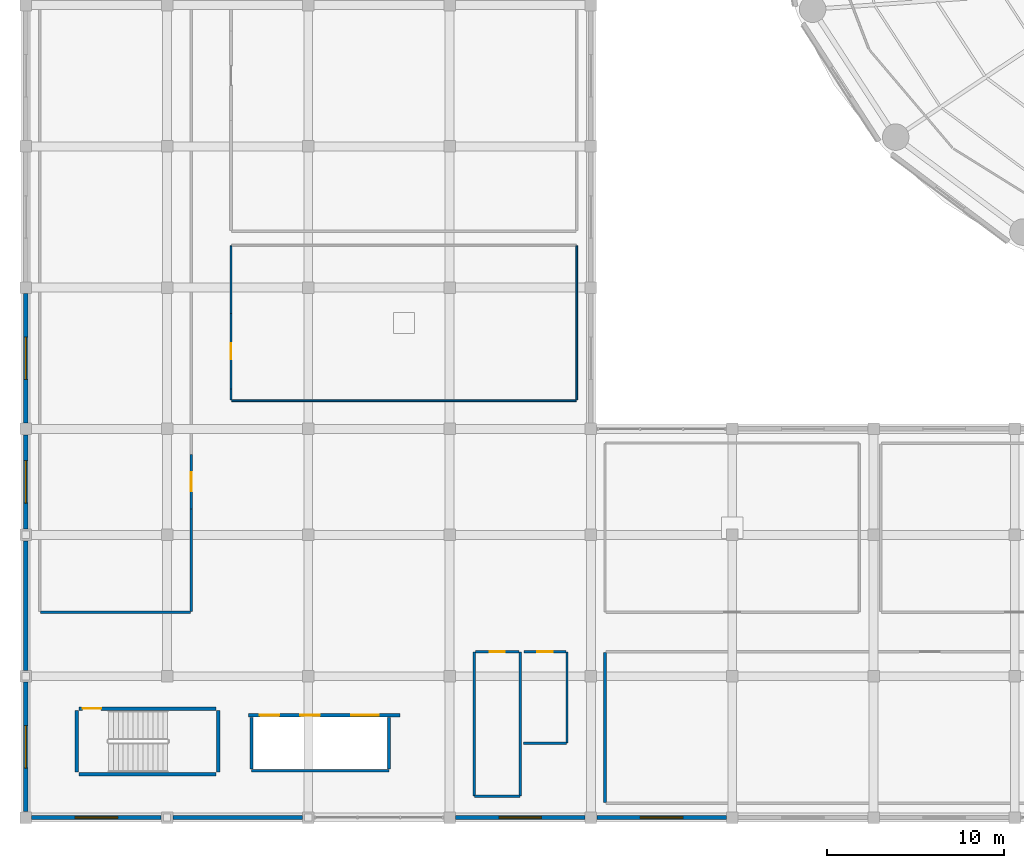
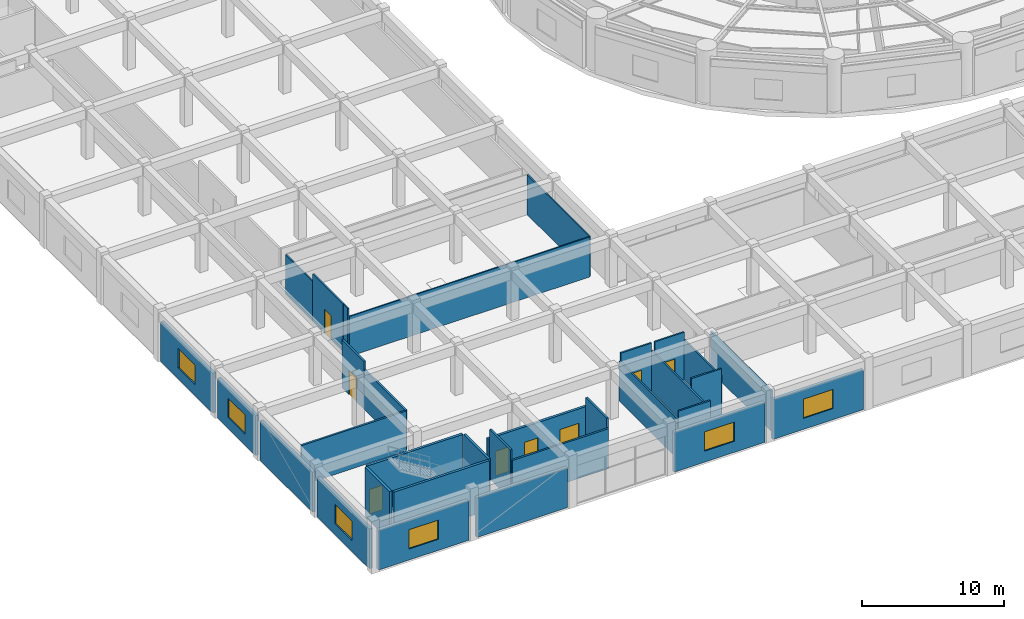
# One storey, part 38 of 52: 32 walls, 8 doors, 6 windows, 14 openings.
"""IFC4 building model written with IfcOpenShell, lengths in metres."""

from ifc_helpers import new_model, si_unit, direction, frame, frame_2d, origin, place, context, subcontext, project, spatial, rectangle, extrude, material, layer, layer_set, type_object, element, fill, save


model = new_model("IFC4")

# Units and contexts
model_context = context("Model", 3, precision=1e-05, world=origin(), true_north=direction((0.0, 1.0)))
body_context = subcontext(model_context, "Body", "Model", "MODEL_VIEW")
ifc_project = project(units=[si_unit("LENGTHUNIT", "METRE"), si_unit("AREAUNIT", "SQUARE_METRE"), si_unit("VOLUMEUNIT", "CUBIC_METRE"), si_unit("PLANEANGLEUNIT", "RADIAN"), si_unit("MASSUNIT", "GRAM", prefix="KILO")], contexts=[model_context])

# Site, building, storey
site_placement = place(None, origin())
site = spatial("IfcSite", under=ifc_project, at=site_placement, CompositionType="ELEMENT")
building_placement = place(site_placement, origin())
building = spatial("IfcBuilding", under=site, at=building_placement, Name="Kelanora Arch Commons", CompositionType="ELEMENT")
storey_placement = place(building_placement, frame((0.0, 0.0, 13.5)))
storey = spatial("IfcBuildingStorey", under=building, at=storey_placement, Name="L03", CompositionType="ELEMENT", Elevation=13.5)

# Walls
ifc_material_1 = material(Name="Autoclaved aerated concrete blockwork with fire plaster", Category="masonry")
ifc_layer_1 = layer(ifc_material_1, 0.14990234375)
ifc_layer_set_1 = layer_set([ifc_layer_1], Name="Autoclaved aerated concrete blockwork with fire plaster")
wall_type_1 = type_object("IfcWallType", Name="W-COMP-150", PredefinedType="PARTITIONING", material=ifc_layer_set_1)
wall_1_placement = place(storey_placement, frame((16.780029296875, 6.639892578125, 0.0), z_axis=(0.0, 0.0, 1.0), x_axis=(1.0, 0.0, 0.0)))
element("IfcWall", 1, at=wall_1_placement, inside=storey, type_object=wall_type_1, Name="Market South Lift Bank Back Wall L03", PredefinedType="PARTITIONING", context=body_context, shape_type="SweptSolid", body=[
    extrude(rectangle(XDim=7.7900390625, YDim=0.14990234375, at=frame_2d((3.89501953125, 0.0))), origin(), (0.0, 0.0, 1.0), 3.425048828125),
])
for number, where, z_axis, x_axis, name in (
    (2, (16.780029296875, 6.760009765625, 0.0), (0.0, 0.0, 1.0), (0.0, 1.0, 0.0), "Market South Lift Bank West Wall L03"),
    (3, (24.570068359375, 6.760009765625, 0.0), (0.0, 0.0, 1.0), (0.0, 1.0, 0.0), "Market South Lift Bank East Wall L03"),
):
    element("IfcWall", number, at=place(storey_placement, frame(where, z_axis=z_axis, x_axis=x_axis)), inside=storey, type_object=wall_type_1, Name=name, PredefinedType="PARTITIONING", context=body_context, shape_type="SweptSolid", body=[
        extrude(rectangle(XDim=2.909912109375, YDim=0.14990234375, at=frame_2d((1.455078125, 0.0))), origin(), (0.0, 0.0, 1.0), 4.22998046875),
    ])

# Wall, opening, door
wall_2_placement = place(storey_placement, frame((13.3798828125, 21.4599609375, 0.0), z_axis=(0.0, 0.0, 1.0), x_axis=(0.0, 1.0, 0.0)))
wall_2 = element("IfcWall", 4, at=wall_2_placement, inside=storey, type_object=wall_type_1, Name="Market West Equipment Store L03 Entry Partition", PredefinedType="PARTITIONING", context=body_context, shape_type="SweptSolid", body=[
    extrude(rectangle(XDim=3.080078125, YDim=0.14990234375, at=frame_2d((1.5400390625, 0.0))), origin(), (0.0, 0.0, 1.0), 4.090087890625),
])
opening_1_placement = place(wall_2_placement, frame((1.0, 0.0, 0.0)))
opening_1 = element("IfcOpeningElement", 5, at=opening_1_placement, cuts=wall_2, Name="Opening D-PLT1", PredefinedType="OPENING", context=body_context, shape_type="SweptSolid", body=[
    extrude(rectangle(XDim=1.080078125, YDim=2.10009765625, at=frame_2d((0.5400390625, 1.050048828125))), frame((0.0, 0.0849609375, 0.0), z_axis=(0.0, -1.0, 0.0), x_axis=(1.0, 0.0, 0.0)), (0.0, 0.0, 1.0), 0.169921875),
])
ifc_material_2 = material(Name="Galvanised steel plant and riser fire door", Category="steel")
door_type_1 = type_object("IfcDoorType", Name="D-PLT-110", OperationType="NOTDEFINED", PredefinedType="DOOR", material=ifc_material_2)
door_1_placement = place(opening_1_placement, origin())
door_1 = element("IfcDoor", 6, at=door_1_placement, inside=storey, type_object=door_type_1, Name="Market West Equipment Store L03 Door", OperationType="SINGLE_SWING_RIGHT", OverallHeight=2.10009765625, OverallWidth=1.080078125, PredefinedType="DOOR", context=body_context, shape_type="SweptSolid", body=[
    extrude(rectangle(XDim=1.080078125, YDim=2.10009765625, at=frame_2d((0.5400390625, 1.050048828125))), frame((0.0, 0.02490234375, 0.0), z_axis=(0.0, -1.0, 0.0), x_axis=(1.0, 0.0, 0.0)), (0.0, 0.0, 1.0), 0.050048828125),
])
fill(opening_1, door_1)

# Walls
for number, where, z_axis, x_axis, name in (
    (7, (36.800048828125, 13.340087890625, 0.0), (0.0, 0.0, 1.0), (0.0, -1.0, 0.0), "Market South Catering Cold Room and Store L03 Enclosure Partition 4"),
    (8, (4.840087890625, 15.6201171875, 0.0), (0.0, 0.0, 1.0), (1.0, 0.0, 0.0), "Market West Equipment Store L03 Enclosure Partition 1"),
):
    element("IfcWall", number, at=place(storey_placement, frame(where, z_axis=z_axis, x_axis=x_axis)), inside=storey, type_object=wall_type_1, Name=name, PredefinedType="PARTITIONING", context=body_context, shape_type="SweptSolid", body=[
        extrude(rectangle(XDim=8.5, YDim=0.14990234375, at=frame_2d((4.25, 0.0))), origin(), (0.0, 0.0, 1.0), 3.425048828125),
    ])
wall_3_placement = place(storey_placement, frame((13.3798828125, 15.659912109375, 0.0), z_axis=(0.0, 0.0, 1.0), x_axis=(0.0, 1.0, 0.0)))
element("IfcWall", 9, at=wall_3_placement, inside=storey, type_object=wall_type_1, Name="Market West Equipment Store L03 Enclosure Partition 2", PredefinedType="PARTITIONING", context=body_context, shape_type="SweptSolid", body=[
    extrude(rectangle(XDim=5.800048828125, YDim=0.14990234375, at=frame_2d((2.89990234375, 0.0))), origin(), (0.0, 0.0, 1.0), 3.425048828125),
])

# Wall, opening, window
ifc_material_3 = material(Name="Precast concrete C40/50 with terracotta ceramic cladding", Category="masonry")
ifc_layer_2 = layer(ifc_material_3, 0.25)
ifc_layer_set_2 = layer_set([ifc_layer_2], Name="Precast concrete C40/50 with terracotta ceramic cladding")
wall_type_2 = type_object("IfcWallType", Name="W-EXT-MKT", PredefinedType="SOLIDWALL", material=ifc_layer_set_2)
wall_4_placement = place(storey_placement, frame((4.330078125, 4.0, 0.0), z_axis=(0.0, 0.0, 1.0), x_axis=(1.0, 0.0, 0.0)))
wall_4 = element("IfcWall", 10, at=wall_4_placement, inside=storey, type_object=wall_type_2, Name="Market Hall Exterior Wall L03-00", PredefinedType="SOLIDWALL", context=body_context, shape_type="SweptSolid", body=[
    extrude(rectangle(XDim=7.33984375, YDim=0.25, at=frame_2d((3.669921875, 0.0))), origin(), (0.0, 0.0, 1.0), 3.419921875),
])
opening_2_placement = place(wall_4_placement, frame((2.469970703125, 0.0, 0.949951171875)))
opening_2 = element("IfcOpeningElement", 11, at=opening_2_placement, cuts=wall_4, Name="Opening WN-03", PredefinedType="OPENING", context=body_context, shape_type="SweptSolid", body=[
    extrude(rectangle(XDim=2.39990234375, YDim=1.64990234375, at=frame_2d((1.199951171875, 0.824951171875))), frame((0.0, 0.135009765625, 0.0), z_axis=(0.0, -1.0, 0.0), x_axis=(1.0, 0.0, 0.0)), (0.0, 0.0, 1.0), 0.27001953125),
])
ifc_material_4 = material(Name="Bronze-terracotta aluminium monsoon clerestory window", Category="masonry")
window_type = type_object("IfcWindowType", Name="WIN-MKT-24", PartitioningType="TRIPLE_PANEL_VERTICAL", PredefinedType="WINDOW", material=ifc_material_4)
window_1_placement = place(opening_2_placement, origin())
window_1 = element("IfcWindow", 12, at=window_1_placement, inside=storey, type_object=window_type, Name="Market Hall Clerestory Window L03-00", OverallHeight=1.64990234375, OverallWidth=2.39990234375, PartitioningType="SINGLE_PANEL", PredefinedType="WINDOW", context=body_context, shape_type="SweptSolid", body=[
    extrude(rectangle(XDim=2.39990234375, YDim=1.64990234375, at=frame_2d((1.199951171875, 0.824951171875))), frame((0.0, 0.030029296875, 0.0), z_axis=(0.0, -1.0, 0.0), x_axis=(1.0, 0.0, 0.0)), (0.0, 0.0, 1.0), 0.06005859375),
])
fill(opening_2, window_1)

# Wall
wall_5_placement = place(storey_placement, frame((12.330078125, 4.0, 0.0), z_axis=(0.0, 0.0, 1.0), x_axis=(1.0, 0.0, 0.0)))
element("IfcWall", 13, at=wall_5_placement, inside=storey, type_object=wall_type_2, Name="Market Hall Exterior Wall L03-01", PredefinedType="SOLIDWALL", context=body_context, shape_type="SweptSolid", body=[
    extrude(rectangle(XDim=7.33984375, YDim=0.25, at=frame_2d((3.669921875, 0.0))), origin(), (0.0, 0.0, 1.0), 3.419921875),
])

# Wall, opening, window
wall_6_placement = place(storey_placement, frame((28.330078125, 4.0, 0.0), z_axis=(0.0, 0.0, 1.0), x_axis=(1.0, 0.0, 0.0)))
wall_6 = element("IfcWall", 14, at=wall_6_placement, inside=storey, type_object=wall_type_2, Name="Market Hall Exterior Wall L03-03", PredefinedType="SOLIDWALL", context=body_context, shape_type="SweptSolid", body=[
    extrude(rectangle(XDim=7.33984375, YDim=0.25, at=frame_2d((3.669921875, 0.0))), origin(), (0.0, 0.0, 1.0), 3.419921875),
])
opening_3_placement = place(wall_6_placement, frame((2.469970703125, 0.0, 0.949951171875)))
opening_3 = element("IfcOpeningElement", 15, at=opening_3_placement, cuts=wall_6, Name="Opening WN-03", PredefinedType="OPENING", context=body_context, shape_type="SweptSolid", body=[
    extrude(rectangle(XDim=2.39990234375, YDim=1.64990234375, at=frame_2d((1.199951171875, 0.824951171875))), frame((0.0, 0.135009765625, 0.0), z_axis=(0.0, -1.0, 0.0), x_axis=(1.0, 0.0, 0.0)), (0.0, 0.0, 1.0), 0.27001953125),
])
window_2_placement = place(opening_3_placement, origin())
window_2 = element("IfcWindow", 16, at=window_2_placement, inside=storey, type_object=window_type, Name="Market Hall Clerestory Window L03-03", OverallHeight=1.64990234375, OverallWidth=2.39990234375, PartitioningType="SINGLE_PANEL", PredefinedType="WINDOW", context=body_context, shape_type="SweptSolid", body=[
    extrude(rectangle(XDim=2.39990234375, YDim=1.64990234375, at=frame_2d((1.199951171875, 0.824951171875))), frame((0.0, 0.030029296875, 0.0), z_axis=(0.0, -1.0, 0.0), x_axis=(1.0, 0.0, 0.0)), (0.0, 0.0, 1.0), 0.06005859375),
])
fill(opening_3, window_2)

wall_7_placement = place(storey_placement, frame((36.330078125, 4.0, 0.0), z_axis=(0.0, 0.0, 1.0), x_axis=(1.0, 0.0, 0.0)))
wall_7 = element("IfcWall", 17, at=wall_7_placement, inside=storey, type_object=wall_type_2, Name="Market Hall Exterior Wall L03-04", PredefinedType="SOLIDWALL", context=body_context, shape_type="SweptSolid", body=[
    extrude(rectangle(XDim=7.33984375, YDim=0.25, at=frame_2d((3.669921875, 0.0))), origin(), (0.0, 0.0, 1.0), 3.419921875),
])
opening_4_placement = place(wall_7_placement, frame((2.469970703125, 0.0, 0.949951171875)))
opening_4 = element("IfcOpeningElement", 18, at=opening_4_placement, cuts=wall_7, Name="Opening WN-03", PredefinedType="OPENING", context=body_context, shape_type="SweptSolid", body=[
    extrude(rectangle(XDim=2.39990234375, YDim=1.64990234375, at=frame_2d((1.199951171875, 0.824951171875))), frame((0.0, 0.135009765625, 0.0), z_axis=(0.0, -1.0, 0.0), x_axis=(1.0, 0.0, 0.0)), (0.0, 0.0, 1.0), 0.27001953125),
])
window_3_placement = place(opening_4_placement, origin())
window_3 = element("IfcWindow", 19, at=window_3_placement, inside=storey, type_object=window_type, Name="Market Hall Clerestory Window L03-04", OverallHeight=1.64990234375, OverallWidth=2.39990234375, PartitioningType="SINGLE_PANEL", PredefinedType="WINDOW", context=body_context, shape_type="SweptSolid", body=[
    extrude(rectangle(XDim=2.39990234375, YDim=1.64990234375, at=frame_2d((1.199951171875, 0.824951171875))), frame((0.0, 0.030029296875, 0.0), z_axis=(0.0, -1.0, 0.0), x_axis=(1.0, 0.0, 0.0)), (0.0, 0.0, 1.0), 0.06005859375),
])
fill(opening_4, window_3)

wall_8_placement = place(storey_placement, frame((4.0, 33.669921875, 0.0), z_axis=(0.0, 0.0, 1.0), x_axis=(0.0, -1.0, 0.0)))
wall_8 = element("IfcWall", 20, at=wall_8_placement, inside=storey, type_object=wall_type_2, Name="Market Hall Exterior Wall L03-40", PredefinedType="SOLIDWALL", context=body_context, shape_type="SweptSolid", body=[
    extrude(rectangle(XDim=7.33984375, YDim=0.25, at=frame_2d((3.669921875, 0.0))), origin(), (0.0, 0.0, 1.0), 3.419921875),
])
opening_5_placement = place(wall_8_placement, frame((2.469970703125, 0.0, 0.949951171875)))
opening_5 = element("IfcOpeningElement", 21, at=opening_5_placement, cuts=wall_8, Name="Opening WN-03", PredefinedType="OPENING", context=body_context, shape_type="SweptSolid", body=[
    extrude(rectangle(XDim=2.39990234375, YDim=1.64990234375, at=frame_2d((1.199951171875, 0.824951171875))), frame((0.0, 0.135009765625, 0.0), z_axis=(0.0, -1.0, 0.0), x_axis=(1.0, 0.0, 0.0)), (0.0, 0.0, 1.0), 0.27001953125),
])
window_4_placement = place(opening_5_placement, origin())
window_4 = element("IfcWindow", 22, at=window_4_placement, inside=storey, type_object=window_type, Name="Market Hall Clerestory Window L03-40", OverallHeight=1.64990234375, OverallWidth=2.39990234375, PartitioningType="SINGLE_PANEL", PredefinedType="WINDOW", context=body_context, shape_type="SweptSolid", body=[
    extrude(rectangle(XDim=2.39990234375, YDim=1.64990234375, at=frame_2d((1.199951171875, 0.824951171875))), frame((0.0, 0.030029296875, 0.0), z_axis=(0.0, -1.0, 0.0), x_axis=(1.0, 0.0, 0.0)), (0.0, 0.0, 1.0), 0.06005859375),
])
fill(opening_5, window_4)

wall_9_placement = place(storey_placement, frame((4.0, 25.669921875, 0.0), z_axis=(0.0, 0.0, 1.0), x_axis=(0.0, -1.0, 0.0)))
wall_9 = element("IfcWall", 23, at=wall_9_placement, inside=storey, type_object=wall_type_2, Name="Market Hall Exterior Wall L03-41", PredefinedType="SOLIDWALL", context=body_context, shape_type="SweptSolid", body=[
    extrude(rectangle(XDim=5.33984375, YDim=0.25, at=frame_2d((2.669921875, 0.0))), origin(), (0.0, 0.0, 1.0), 3.419921875),
])
opening_6_placement = place(wall_9_placement, frame((1.469970703125, 0.0, 0.949951171875)))
opening_6 = element("IfcOpeningElement", 24, at=opening_6_placement, cuts=wall_9, Name="Opening WN-03", PredefinedType="OPENING", context=body_context, shape_type="SweptSolid", body=[
    extrude(rectangle(XDim=2.39990234375, YDim=1.64990234375, at=frame_2d((1.199951171875, 0.824951171875))), frame((0.0, 0.135009765625, 0.0), z_axis=(0.0, -1.0, 0.0), x_axis=(1.0, 0.0, 0.0)), (0.0, 0.0, 1.0), 0.27001953125),
])
window_5_placement = place(opening_6_placement, origin())
window_5 = element("IfcWindow", 25, at=window_5_placement, inside=storey, type_object=window_type, Name="Market Hall Clerestory Window L03-41", OverallHeight=1.64990234375, OverallWidth=2.39990234375, PartitioningType="SINGLE_PANEL", PredefinedType="WINDOW", context=body_context, shape_type="SweptSolid", body=[
    extrude(rectangle(XDim=2.39990234375, YDim=1.64990234375, at=frame_2d((1.199951171875, 0.824951171875))), frame((0.0, 0.030029296875, 0.0), z_axis=(0.0, -1.0, 0.0), x_axis=(1.0, 0.0, 0.0)), (0.0, 0.0, 1.0), 0.06005859375),
])
fill(opening_6, window_5)

# Wall
wall_10_placement = place(storey_placement, frame((4.0, 19.669921875, 0.0), z_axis=(0.0, 0.0, 1.0), x_axis=(0.0, -1.0, 0.0)))
element("IfcWall", 26, at=wall_10_placement, inside=storey, type_object=wall_type_2, Name="Market Hall Exterior Wall L03-42", PredefinedType="SOLIDWALL", context=body_context, shape_type="SweptSolid", body=[
    extrude(rectangle(XDim=7.33984375, YDim=0.25, at=frame_2d((3.669921875, 0.0))), origin(), (0.0, 0.0, 1.0), 3.419921875),
])

# Wall, opening, window
wall_11_placement = place(storey_placement, frame((4.0, 11.669921875, 0.0), z_axis=(0.0, 0.0, 1.0), x_axis=(0.0, -1.0, 0.0)))
wall_11 = element("IfcWall", 27, at=wall_11_placement, inside=storey, type_object=wall_type_2, Name="Market Hall Exterior Wall L03-43", PredefinedType="SOLIDWALL", context=body_context, shape_type="SweptSolid", body=[
    extrude(rectangle(XDim=7.33984375, YDim=0.25, at=frame_2d((3.669921875, 0.0))), origin(), (0.0, 0.0, 1.0), 3.419921875),
])
opening_7_placement = place(wall_11_placement, frame((2.469970703125, 0.0, 0.949951171875)))
opening_7 = element("IfcOpeningElement", 28, at=opening_7_placement, cuts=wall_11, Name="Opening WN-03", PredefinedType="OPENING", context=body_context, shape_type="SweptSolid", body=[
    extrude(rectangle(XDim=2.39990234375, YDim=1.64990234375, at=frame_2d((1.199951171875, 0.824951171875))), frame((0.0, 0.135009765625, 0.0), z_axis=(0.0, -1.0, 0.0), x_axis=(1.0, 0.0, 0.0)), (0.0, 0.0, 1.0), 0.27001953125),
])
window_6_placement = place(opening_7_placement, origin())
window_6 = element("IfcWindow", 29, at=window_6_placement, inside=storey, type_object=window_type, Name="Market Hall Clerestory Window L03-43", OverallHeight=1.64990234375, OverallWidth=2.39990234375, PartitioningType="SINGLE_PANEL", PredefinedType="WINDOW", context=body_context, shape_type="SweptSolid", body=[
    extrude(rectangle(XDim=2.39990234375, YDim=1.64990234375, at=frame_2d((1.199951171875, 0.824951171875))), frame((0.0, 0.030029296875, 0.0), z_axis=(0.0, -1.0, 0.0), x_axis=(1.0, 0.0, 0.0)), (0.0, 0.0, 1.0), 0.06005859375),
])
fill(opening_7, window_6)

# Wall, openings, doors
ifc_material_5 = material(Name="Concrete C40/50", Category="concrete")
ifc_layer_3 = layer(ifc_material_5, 0.199951171875)
ifc_layer_set_3 = layer_set([ifc_layer_3], Name="Concrete C40/50")
wall_type_3 = type_object("IfcWallType", Name="W-FFL-200", PredefinedType="SOLIDWALL", material=ifc_layer_set_3)
wall_12_placement = place(storey_placement, frame((16.60009765625, 9.800048828125, 0.0), z_axis=(0.0, 0.0, 1.0), x_axis=(1.0, 0.0, 0.0)))
wall_12 = element("IfcWall", 30, at=wall_12_placement, inside=storey, type_object=wall_type_3, Name="Market South Lift Shaft Front L03", PredefinedType="SOLIDWALL", context=body_context, shape_type="SweptSolid", body=[
    extrude(rectangle(XDim=8.599853515625, YDim=0.199951171875, at=frame_2d((4.2998046875, 0.0))), origin(), (0.0, 0.0, 1.0), 3.425048828125),
])
opening_8_placement = place(wall_12_placement, frame((0.64990234375, 0.0, 0.0)))
opening_8 = element("IfcOpeningElement", 31, at=opening_8_placement, cuts=wall_12, Name="Opening LD-01", PredefinedType="OPENING", context=body_context, shape_type="SweptSolid", body=[
    extrude(rectangle(XDim=1.10009765625, YDim=2.10009765625, at=frame_2d((0.550048828125, 1.050048828125))), frame((0.0, 0.10986328125, 0.0), z_axis=(0.0, -1.0, 0.0), x_axis=(1.0, 0.0, 0.0)), (0.0, 0.0, 1.0), 0.219970703125),
])
opening_9_placement = place(wall_12_placement, frame((2.949951171875, 0.0, 0.0)))
opening_9 = element("IfcOpeningElement", 32, at=opening_9_placement, cuts=wall_12, Name="Opening LD-01", PredefinedType="OPENING", context=body_context, shape_type="SweptSolid", body=[
    extrude(rectangle(XDim=1.10009765625, YDim=2.10009765625, at=frame_2d((0.550048828125, 1.050048828125))), frame((0.0, 0.10986328125, 0.0), z_axis=(0.0, -1.0, 0.0), x_axis=(1.0, 0.0, 0.0)), (0.0, 0.0, 1.0), 0.219970703125),
])
opening_10_placement = place(wall_12_placement, frame((5.824951171875, 0.0, 0.0)))
opening_10 = element("IfcOpeningElement", 33, at=opening_10_placement, cuts=wall_12, Name="Opening LD-GD", PredefinedType="OPENING", context=body_context, shape_type="SweptSolid", body=[
    extrude(rectangle(XDim=1.550048828125, YDim=2.199951171875, at=frame_2d((0.77490234375, 1.10009765625))), frame((0.0, 0.10986328125, 0.0), z_axis=(0.0, -1.0, 0.0), x_axis=(1.0, 0.0, 0.0)), (0.0, 0.0, 1.0), 0.219970703125),
])
ifc_material_6 = material(Name="Stainless steel passenger lift sliding landing door", Category="steel")
door_type_2 = type_object("IfcDoorType", Name="D-LIFT-110", OperationType="NOTDEFINED", PredefinedType="DOOR", material=ifc_material_6)
door_2_placement = place(opening_8_placement, origin())
door_2 = element("IfcDoor", 34, at=door_2_placement, inside=storey, type_object=door_type_2, Name="Market Lift LF-MP1 Landing Door L03", OperationType="DOUBLE_DOOR_SLIDING", OverallHeight=2.10009765625, OverallWidth=1.10009765625, PredefinedType="DOOR", context=body_context, shape_type="SweptSolid", body=[
    extrude(rectangle(XDim=1.10009765625, YDim=2.10009765625, at=frame_2d((0.550048828125, 1.050048828125))), frame((0.0, 0.02490234375, 0.0), z_axis=(0.0, -1.0, 0.0), x_axis=(1.0, 0.0, 0.0)), (0.0, 0.0, 1.0), 0.050048828125),
])
fill(opening_8, door_2)
door_3_placement = place(opening_9_placement, origin())
door_3 = element("IfcDoor", 35, at=door_3_placement, inside=storey, type_object=door_type_2, Name="Market Lift LF-MP2 Landing Door L03", OperationType="DOUBLE_DOOR_SLIDING", OverallHeight=2.10009765625, OverallWidth=1.10009765625, PredefinedType="DOOR", context=body_context, shape_type="SweptSolid", body=[
    extrude(rectangle(XDim=1.10009765625, YDim=2.10009765625, at=frame_2d((0.550048828125, 1.050048828125))), frame((0.0, 0.02490234375, 0.0), z_axis=(0.0, -1.0, 0.0), x_axis=(1.0, 0.0, 0.0)), (0.0, 0.0, 1.0), 0.050048828125),
])
fill(opening_9, door_3)
ifc_material_7 = material(Name="Heavy-duty goods lift bi-parting sliding landing door")
door_type_3 = type_object("IfcDoorType", Name="D-LIFT-GDS", OperationType="NOTDEFINED", PredefinedType="DOOR", material=ifc_material_7)
door_4_placement = place(opening_10_placement, origin())
door_4 = element("IfcDoor", 36, at=door_4_placement, inside=storey, type_object=door_type_3, Name="Market Lift LF-MG1 Landing Door L03", OperationType="DOUBLE_DOOR_SLIDING", OverallHeight=2.199951171875, OverallWidth=1.550048828125, PredefinedType="DOOR", context=body_context, shape_type="SweptSolid", body=[
    extrude(rectangle(XDim=1.550048828125, YDim=2.199951171875, at=frame_2d((0.77490234375, 1.10009765625))), frame((0.0, 0.02490234375, 0.0), z_axis=(0.0, -1.0, 0.0), x_axis=(1.0, 0.0, 0.0)), (0.0, 0.0, 1.0), 0.050048828125),
])
fill(opening_10, door_4)

# Walls
ifc_material_8 = material(Name="Lightweight fire-rated acoustic stud partition")
ifc_layer_4 = layer(ifc_material_8, 0.10009765625)
ifc_layer_set_4 = layer_set([ifc_layer_4], Name="Lightweight fire-rated acoustic stud partition")
wall_type_4 = type_object("IfcWallType", Name="W-PART-100", PredefinedType="PARTITIONING", material=ifc_layer_set_4)
wall_13_placement = place(storey_placement, frame((15.659912109375, 27.60009765625, 0.0), z_axis=(0.0, 0.0, 1.0), x_axis=(1.0, 0.0, 0.0)))
element("IfcWall", 37, at=wall_13_placement, inside=storey, type_object=wall_type_4, Name="Community Dining Hall and Bakery Enclosure Partition 1", PredefinedType="PARTITIONING", context=body_context, shape_type="SweptSolid", body=[
    extrude(rectangle(XDim=19.5, YDim=0.10009765625, at=frame_2d((9.75, 0.0))), origin(), (0.0, 0.0, 1.0), 3.425048828125),
])
wall_14_placement = place(storey_placement, frame((35.199951171875, 27.639892578125, 0.0), z_axis=(0.0, 0.0, 1.0), x_axis=(0.0, 1.0, 0.0)))
element("IfcWall", 38, at=wall_14_placement, inside=storey, type_object=wall_type_4, Name="Community Dining Hall and Bakery Enclosure Partition 2", PredefinedType="PARTITIONING", context=body_context, shape_type="SweptSolid", body=[
    extrude(rectangle(XDim=8.72021484375, YDim=0.10009765625, at=frame_2d((4.360107421875, 0.0))), origin(), (0.0, 0.0, 1.0), 3.425048828125),
])
wall_15_placement = place(storey_placement, frame((15.6201171875, 36.360107421875, 0.0), z_axis=(0.0, 0.0, 1.0), x_axis=(0.0, -1.0, 0.0)))
element("IfcWall", 39, at=wall_15_placement, inside=storey, type_object=wall_type_4, Name="Community Dining Hall and Bakery Enclosure Partition 4", PredefinedType="PARTITIONING", context=body_context, shape_type="SweptSolid", body=[
    extrude(rectangle(XDim=3.820068359375, YDim=0.10009765625, at=frame_2d((1.91015625, 0.0))), origin(), (0.0, 0.0, 1.0), 3.425048828125),
])
wall_16_placement = place(storey_placement, frame((15.6201171875, 28.260009765625, 0.0), z_axis=(0.0, 0.0, 1.0), x_axis=(0.0, -1.0, 0.0)))
element("IfcWall", 40, at=wall_16_placement, inside=storey, type_object=wall_type_4, Name="Community Dining Hall and Bakery Enclosure Partition 4", PredefinedType="PARTITIONING", context=body_context, shape_type="SweptSolid", body=[
    extrude(rectangle(XDim=0.6201171875, YDim=0.10009765625, at=frame_2d((0.31005859375, 0.0))), origin(), (0.0, 0.0, 1.0), 4.090087890625),
])

# Wall, opening, door
ifc_material_9 = material(Name="Acoustic twin-stud fire-rated gypsum partition")
ifc_layer_5 = layer(ifc_material_9, 0.1201171875)
ifc_layer_set_5 = layer_set([ifc_layer_5], Name="Acoustic twin-stud fire-rated gypsum partition")
wall_type_5 = type_object("IfcWallType", Name="W-PART-120", PredefinedType="PARTITIONING", material=ifc_layer_set_5)
wall_17_placement = place(storey_placement, frame((15.6201171875, 28.260009765625, 0.0), z_axis=(0.0, 0.0, 1.0), x_axis=(0.0, 1.0, 0.0)))
wall_17 = element("IfcWall", 41, at=wall_17_placement, inside=storey, type_object=wall_type_5, Name="Community Dining Hall and Bakery Entry Partition", PredefinedType="PARTITIONING", context=body_context, shape_type="SweptSolid", body=[
    extrude(rectangle(XDim=4.280029296875, YDim=0.1201171875, at=frame_2d((2.14013671875, 0.0))), origin(), (0.0, 0.0, 1.0), 4.090087890625),
])
opening_11_placement = place(wall_17_placement, frame((1.68994140625, 0.0, 0.0)))
opening_11 = element("IfcOpeningElement", 42, at=opening_11_placement, cuts=wall_17, Name="Opening D-RM1", PredefinedType="OPENING", context=body_context, shape_type="SweptSolid", body=[
    extrude(rectangle(XDim=0.89990234375, YDim=2.080078125, at=frame_2d((0.449951171875, 1.0400390625))), frame((0.0, 0.070068359375, 0.0), z_axis=(0.0, -1.0, 0.0), x_axis=(1.0, 0.0, 0.0)), (0.0, 0.0, 1.0), 0.14013671875),
])
ifc_material_10 = material(Name="Acoustic fire-rated timber study and lounge door", Category="wood")
door_type_4 = type_object("IfcDoorType", Name="D-ROOM-90", OperationType="NOTDEFINED", PredefinedType="DOOR", material=ifc_material_10)
door_5_placement = place(opening_11_placement, origin())
door_5 = element("IfcDoor", 43, at=door_5_placement, inside=storey, type_object=door_type_4, Name="Community Dining Hall and Bakery Door", OperationType="SINGLE_SWING_LEFT", OverallHeight=2.080078125, OverallWidth=0.89990234375, PredefinedType="DOOR", context=body_context, shape_type="SweptSolid", body=[
    extrude(rectangle(XDim=0.89990234375, YDim=2.080078125, at=frame_2d((0.449951171875, 1.0400390625))), frame((0.0, 0.02490234375, 0.0), z_axis=(0.0, -1.0, 0.0), x_axis=(1.0, 0.0, 0.0)), (0.0, 0.0, 1.0), 0.050048828125),
])
fill(opening_11, door_5)

# Walls
ifc_layer_6 = layer(ifc_material_5, 0.199951171875)
ifc_layer_set_6 = layer_set([ifc_layer_6], Name="Concrete C40/50")
wall_type_6 = type_object("IfcWallType", Name="W-STAIR-200", PredefinedType="SHEAR", material=ifc_layer_set_6)
wall_18_placement = place(storey_placement, frame((7.02001953125, 6.4599609375, 0.0), z_axis=(0.0, 0.0, 1.0), x_axis=(1.0, 0.0, 0.0)))
element("IfcWall", 44, at=wall_18_placement, inside=storey, type_object=wall_type_6, Name="Stair ST-M1 Shaft Wall S L03", PredefinedType="SHEAR", context=body_context, shape_type="SweptSolid", body=[
    extrude(rectangle(XDim=7.760009765625, YDim=0.199951171875, at=frame_2d((3.8798828125, 0.0))), origin(), (0.0, 0.0, 1.0), 4.239990234375),
])
wall_19_placement = place(storey_placement, frame((14.89990234375, 6.580078125, 0.0), z_axis=(0.0, 0.0, 1.0), x_axis=(0.0, 1.0, 0.0)))
element("IfcWall", 45, at=wall_19_placement, inside=storey, type_object=wall_type_6, Name="Stair ST-M1 Shaft Wall E L03", PredefinedType="SHEAR", context=body_context, shape_type="SweptSolid", body=[
    extrude(rectangle(XDim=3.469970703125, YDim=0.199951171875, at=frame_2d((1.73486328125, 0.0))), origin(), (0.0, 0.0, 1.0), 4.239990234375),
])

# Wall, opening, door
wall_20_placement = place(storey_placement, frame((14.780029296875, 10.169921875, 0.0), z_axis=(0.0, 0.0, 1.0), x_axis=(-1.0, 0.0, 0.0)))
wall_20 = element("IfcWall", 46, at=wall_20_placement, inside=storey, type_object=wall_type_6, Name="Stair ST-M1 Shaft Wall N L03", PredefinedType="SHEAR", context=body_context, shape_type="SweptSolid", body=[
    extrude(rectangle(XDim=7.760009765625, YDim=0.199951171875, at=frame_2d((3.8798828125, 0.0))), origin(), (0.0, 0.0, 1.0), 4.239990234375),
])
opening_12_placement = place(wall_20_placement, frame((6.510009765625, 0.0, 0.0)))
opening_12 = element("IfcOpeningElement", 47, at=opening_12_placement, cuts=wall_20, Name="Opening D-ST1", PredefinedType="OPENING", context=body_context, shape_type="SweptSolid", body=[
    extrude(rectangle(XDim=1.050048828125, YDim=2.10009765625, at=frame_2d((0.52490234375, 1.050048828125))), frame((0.0, 0.10986328125, 0.0), z_axis=(0.0, -1.0, 0.0), x_axis=(1.0, 0.0, 0.0)), (0.0, 0.0, 1.0), 0.219970703125),
])
ifc_material_11 = material(Name="Steel fire-rated stairwell escape door", Category="steel")
door_type_5 = type_object("IfcDoorType", Name="D-STAIR-110", OperationType="NOTDEFINED", PredefinedType="DOOR", material=ifc_material_11)
door_6_placement = place(opening_12_placement, origin())
door_6 = element("IfcDoor", 48, at=door_6_placement, inside=storey, type_object=door_type_5, Name="Stair ST-M1 Escape Door L03", OperationType="SINGLE_SWING_RIGHT", OverallHeight=2.10009765625, OverallWidth=1.050048828125, PredefinedType="DOOR", context=body_context, shape_type="SweptSolid", body=[
    extrude(rectangle(XDim=1.050048828125, YDim=2.10009765625, at=frame_2d((0.52490234375, 1.050048828125))), frame((0.0, 0.02490234375, 0.0), z_axis=(0.0, -1.0, 0.0), x_axis=(1.0, 0.0, 0.0)), (0.0, 0.0, 1.0), 0.050048828125),
])
fill(opening_12, door_6)

# Wall
wall_21_placement = place(storey_placement, frame((6.89990234375, 10.050048828125, 0.0), z_axis=(0.0, 0.0, 1.0), x_axis=(0.0, -1.0, 0.0)))
element("IfcWall", 49, at=wall_21_placement, inside=storey, type_object=wall_type_6, Name="Stair ST-M1 Shaft Wall W L03", PredefinedType="SHEAR", context=body_context, shape_type="SweptSolid", body=[
    extrude(rectangle(XDim=3.469970703125, YDim=0.199951171875, at=frame_2d((1.73486328125, 0.0))), origin(), (0.0, 0.0, 1.0), 4.239990234375),
])

# Wall, opening, door
ifc_material_12 = material(Name="Moisture-resistant fire-rated cement-board plumbing wall")
ifc_layer_7 = layer(ifc_material_12, 0.1298828125)
ifc_layer_set_7 = layer_set([ifc_layer_7], Name="Moisture-resistant fire-rated cement-board plumbing wall")
wall_type_7 = type_object("IfcWallType", Name="W-WET-120", PredefinedType="PLUMBINGWALL", material=ifc_layer_set_7)
wall_22_placement = place(storey_placement, frame((29.4599609375, 13.3798828125, 0.0), z_axis=(0.0, 0.0, 1.0), x_axis=(1.0, 0.0, 0.0)))
wall_22 = element("IfcWall", 50, at=wall_22_placement, inside=storey, type_object=wall_type_7, Name="Market Public Toilets L03 Entry Partition", PredefinedType="PLUMBINGWALL", context=body_context, shape_type="SweptSolid", body=[
    extrude(rectangle(XDim=2.47998046875, YDim=0.1298828125, at=frame_2d((1.239990234375, 0.0))), origin(), (0.0, 0.0, 1.0), 4.090087890625),
])
opening_13_placement = place(wall_22_placement, frame((0.81005859375, 0.0, 0.0)))
opening_13 = element("IfcOpeningElement", 51, at=opening_13_placement, cuts=wall_22, Name="Opening D-BT1", PredefinedType="OPENING", context=body_context, shape_type="SweptSolid", body=[
    extrude(rectangle(XDim=0.860107421875, YDim=2.050048828125, at=frame_2d((0.43017578125, 1.02490234375))), frame((0.0, 0.074951171875, 0.0), z_axis=(0.0, -1.0, 0.0), x_axis=(1.0, 0.0, 0.0)), (0.0, 0.0, 1.0), 0.14990234375),
])
ifc_material_13 = material(Name="Moisture-sealed fire-rated accessible bathroom door")
door_type_6 = type_object("IfcDoorType", Name="D-BATH-85", OperationType="NOTDEFINED", PredefinedType="DOOR", material=ifc_material_13)
door_7_placement = place(opening_13_placement, origin())
door_7 = element("IfcDoor", 52, at=door_7_placement, inside=storey, type_object=door_type_6, Name="Market Public Toilets L03 Door", OperationType="SINGLE_SWING_RIGHT", OverallHeight=2.050048828125, OverallWidth=0.860107421875, PredefinedType="DOOR", context=body_context, shape_type="SweptSolid", body=[
    extrude(rectangle(XDim=0.860107421875, YDim=2.050048828125, at=frame_2d((0.43017578125, 1.02490234375))), frame((0.0, 0.02490234375, 0.0), z_axis=(0.0, -1.0, 0.0), x_axis=(1.0, 0.0, 0.0)), (0.0, 0.0, 1.0), 0.050048828125),
])
fill(opening_13, door_7)

wall_23_placement = place(storey_placement, frame((32.2099609375, 13.3798828125, 0.0), z_axis=(0.0, 0.0, 1.0), x_axis=(1.0, 0.0, 0.0)))
wall_23 = element("IfcWall", 53, at=wall_23_placement, inside=storey, type_object=wall_type_7, Name="Market Accessible WC L03 Entry Partition", PredefinedType="PLUMBINGWALL", context=body_context, shape_type="SweptSolid", body=[
    extrude(rectangle(XDim=2.380126953125, YDim=0.1298828125, at=frame_2d((1.18994140625, 0.0))), origin(), (0.0, 0.0, 1.0), 4.090087890625),
])
opening_14_placement = place(wall_23_placement, frame((0.760009765625, 0.0, 0.0)))
opening_14 = element("IfcOpeningElement", 54, at=opening_14_placement, cuts=wall_23, Name="Opening D-BT1", PredefinedType="OPENING", context=body_context, shape_type="SweptSolid", body=[
    extrude(rectangle(XDim=0.860107421875, YDim=2.050048828125, at=frame_2d((0.43017578125, 1.02490234375))), frame((0.0, 0.074951171875, 0.0), z_axis=(0.0, -1.0, 0.0), x_axis=(1.0, 0.0, 0.0)), (0.0, 0.0, 1.0), 0.14990234375),
])
door_8_placement = place(opening_14_placement, origin())
door_8 = element("IfcDoor", 55, at=door_8_placement, inside=storey, type_object=door_type_6, Name="Market Accessible WC L03 Door", OperationType="SINGLE_SWING_LEFT", OverallHeight=2.050048828125, OverallWidth=0.860107421875, PredefinedType="DOOR", context=body_context, shape_type="SweptSolid", body=[
    extrude(rectangle(XDim=0.860107421875, YDim=2.050048828125, at=frame_2d((0.43017578125, 1.02490234375))), frame((0.0, 0.02490234375, 0.0), z_axis=(0.0, -1.0, 0.0), x_axis=(1.0, 0.0, 0.0)), (0.0, 0.0, 1.0), 0.050048828125),
])
fill(opening_14, door_8)

# Walls
wall_24_placement = place(storey_placement, frame((29.419921875, 5.199951171875, 0.0), z_axis=(0.0, 0.0, 1.0), x_axis=(1.0, 0.0, 0.0)))
element("IfcWall", 56, at=wall_24_placement, inside=storey, type_object=wall_type_7, Name="Market Public Toilets L03 Enclosure Partition 1", PredefinedType="PLUMBINGWALL", context=body_context, shape_type="SweptSolid", body=[
    extrude(rectangle(XDim=2.56005859375, YDim=0.1298828125, at=frame_2d((1.280029296875, 0.0))), origin(), (0.0, 0.0, 1.0), 4.090087890625),
])
for number, where, z_axis, x_axis, name in (
    (57, (32.0, 5.219970703125, 0.0), (0.0, 0.0, 1.0), (0.0, 1.0, 0.0), "Market Public Toilets L03 Enclosure Partition 2"),
    (58, (29.39990234375, 13.360107421875, 0.0), (0.0, 0.0, 1.0), (0.0, -1.0, 0.0), "Market Public Toilets L03 Enclosure Partition 4"),
):
    element("IfcWall", number, at=place(storey_placement, frame(where, z_axis=z_axis, x_axis=x_axis)), inside=storey, type_object=wall_type_7, Name=name, PredefinedType="PLUMBINGWALL", context=body_context, shape_type="SweptSolid", body=[
        extrude(rectangle(XDim=8.14013671875, YDim=0.1298828125, at=frame_2d((4.070068359375, 0.0))), origin(), (0.0, 0.0, 1.0), 3.425048828125),
    ])
wall_25_placement = place(storey_placement, frame((32.169921875, 8.199951171875, 0.0), z_axis=(0.0, 0.0, 1.0), x_axis=(1.0, 0.0, 0.0)))
element("IfcWall", 59, at=wall_25_placement, inside=storey, type_object=wall_type_7, Name="Market Accessible WC L03 Enclosure Partition 1", PredefinedType="PLUMBINGWALL", context=body_context, shape_type="SweptSolid", body=[
    extrude(rectangle(XDim=2.4599609375, YDim=0.1298828125, at=frame_2d((1.22998046875, 0.0))), origin(), (0.0, 0.0, 1.0), 4.090087890625),
])
wall_26_placement = place(storey_placement, frame((34.64990234375, 8.219970703125, 0.0), z_axis=(0.0, 0.0, 1.0), x_axis=(0.0, 1.0, 0.0)))
element("IfcWall", 60, at=wall_26_placement, inside=storey, type_object=wall_type_7, Name="Market Accessible WC L03 Enclosure Partition 2", PredefinedType="PLUMBINGWALL", context=body_context, shape_type="SweptSolid", body=[
    extrude(rectangle(XDim=5.14013671875, YDim=0.1298828125, at=frame_2d((2.570068359375, 0.0))), origin(), (0.0, 0.0, 1.0), 3.425048828125),
])

save(model, "model.ifc")
